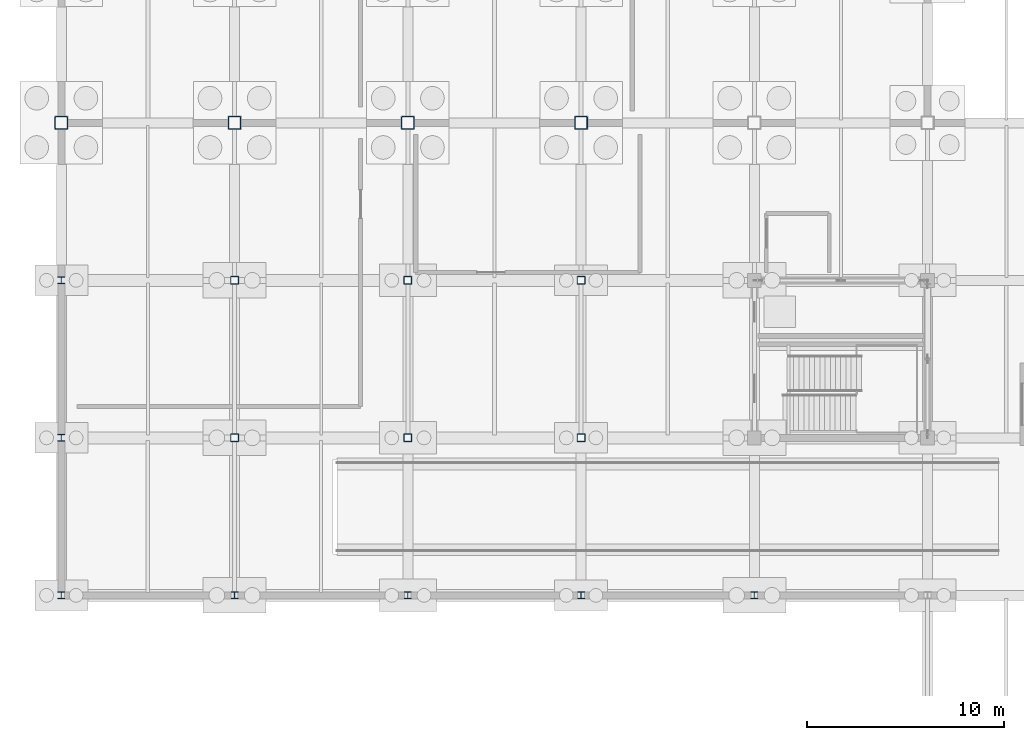
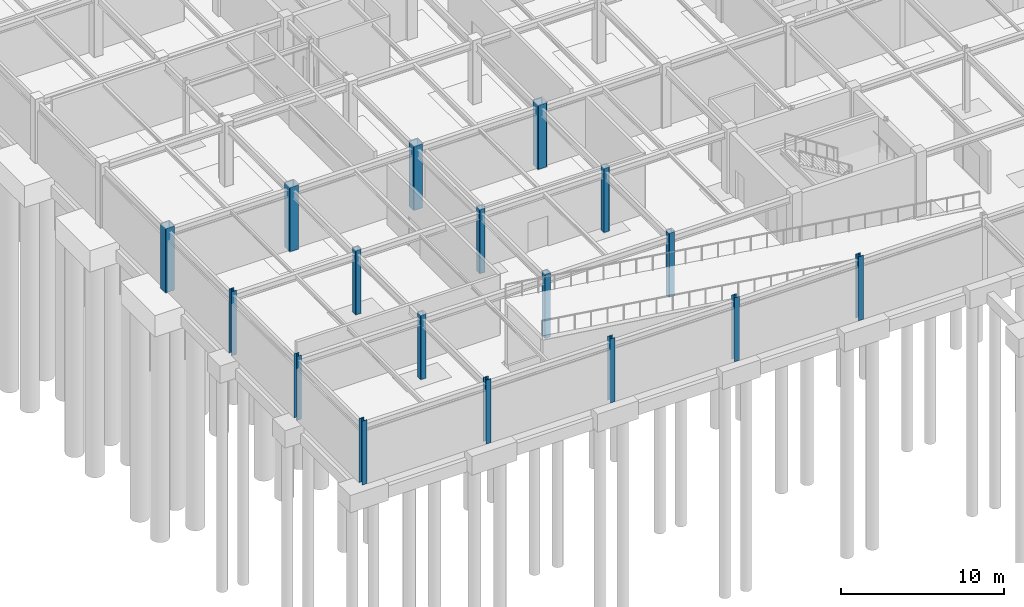
# One storey, part 12 of 72: 17 columns.
"""IFC4 building model written with IfcOpenShell, lengths in metres."""

from ifc_helpers import new_model, si_unit, direction, frame, origin, origin_2d, place, context, subcontext, project, spatial, hollow_rectangle, i_section, extrude, material, material_profile, profile_set, type_object, element, save


model = new_model("IFC4")

# Units and contexts
model_context = context("Model", 3, precision=1e-05, world=origin(), true_north=direction((0.0, 1.0)))
body_context = subcontext(model_context, "Body", "Model", "MODEL_VIEW")
ifc_project = project(units=[si_unit("LENGTHUNIT", "METRE"), si_unit("AREAUNIT", "SQUARE_METRE"), si_unit("VOLUMEUNIT", "CUBIC_METRE"), si_unit("PLANEANGLEUNIT", "RADIAN"), si_unit("MASSUNIT", "GRAM", prefix="KILO")], contexts=[model_context])

# Site, building, storey
site_placement = place(None, origin())
site = spatial("IfcSite", under=ifc_project, at=site_placement, CompositionType="ELEMENT")
building_placement = place(site_placement, origin())
building = spatial("IfcBuilding", under=site, at=building_placement, Name="Zhaolan Boulevard Law Courts", CompositionType="ELEMENT")
storey_placement = place(building_placement, frame((0.0, 0.0, -4.800048828125)))
storey = spatial("IfcBuildingStorey", under=building, at=storey_placement, Name="B1", CompositionType="ELEMENT", Elevation=-4.800048828125)

# Columns
ifc_material_1 = material(Name="Structural steel Q355B", Category="steel")
ifc_material_profile_1 = material_profile(ifc_material_1, hollow_rectangle(XDim=0.39990234375, YDim=0.39990234375, WallThickness=0.01611328125, InnerFilletRadius=0.01611328125, OuterFilletRadius=0.031982421875, at=origin_2d()), Name="BOX400x400x16")
ifc_profile_set_1 = profile_set([ifc_material_profile_1], Name="Structural steel Q355B")
column_type_1 = type_object("IfcColumnType", Name="COL BOX400", PredefinedType="COLUMN", material=ifc_profile_set_1)
for number, where, z_axis, x_axis, name in (
    (1, (8.800048828125, 14.0, 0.0), (0.0, 0.0, 1.0), (1.0, 0.0, 0.0), "Column C-2C (B1)"),
    (2, (8.800048828125, 22.0, 0.0), (0.0, 0.0, 1.0), (1.0, 0.0, 0.0), "Column C-2D (B1)"),
    (3, (17.60009765625, 14.0, 0.0), (0.0, 0.0, 1.0), (1.0, 0.0, 0.0), "Column C-3C (B1)"),
    (4, (17.60009765625, 22.0, 0.0), (0.0, 0.0, 1.0), (1.0, 0.0, 0.0), "Column C-3D (B1)"),
    (5, (26.39990234375, 14.0, 0.0), (0.0, 0.0, 1.0), (1.0, 0.0, 0.0), "Column C-4C (B1)"),
    (6, (26.39990234375, 22.0, 0.0), (0.0, 0.0, 1.0), (1.0, 0.0, 0.0), "Column C-4D (B1)"),
):
    element("IfcColumn", number, at=place(storey_placement, frame(where, z_axis=z_axis, x_axis=x_axis)), inside=storey, type_object=column_type_1, Name=name, PredefinedType="COLUMN", context=body_context, shape_type="SweptSolid", body=[
        extrude(hollow_rectangle(XDim=0.39990234375, YDim=0.39990234375, WallThickness=0.01611328125, InnerFilletRadius=0.01611328125, OuterFilletRadius=0.031982421875, at=origin_2d()), origin(), (0.0, 0.0, 1.0), 4.800048828125),
    ])
ifc_material_2 = material(Name="Structural steel Q390B", Category="steel")
ifc_material_profile_2 = material_profile(ifc_material_2, hollow_rectangle(XDim=0.64990234375, YDim=0.64990234375, WallThickness=0.02587890625, InnerFilletRadius=0.02587890625, OuterFilletRadius=0.052001953125, at=origin_2d()), Name="BOX650x650x26")
ifc_profile_set_2 = profile_set([ifc_material_profile_2], Name="Structural steel Q390B")
column_type_2 = type_object("IfcColumnType", Name="COL BOX650", PredefinedType="COLUMN", material=ifc_profile_set_2)
for number, where, z_axis, x_axis, name in (
    (7, (0.0, 30.0, 0.0), (0.0, 0.0, 1.0), (1.0, 0.0, 0.0), "Column C-1E (B1)"),
    (8, (8.800048828125, 30.0, 0.0), (0.0, 0.0, 1.0), (1.0, 0.0, 0.0), "Column C-2E (B1)"),
    (9, (17.60009765625, 30.0, 0.0), (0.0, 0.0, 1.0), (1.0, 0.0, 0.0), "Column C-3E (B1)"),
    (10, (26.39990234375, 30.0, 0.0), (0.0, 0.0, 1.0), (1.0, 0.0, 0.0), "Column C-4E (B1)"),
):
    element("IfcColumn", number, at=place(storey_placement, frame(where, z_axis=z_axis, x_axis=x_axis)), inside=storey, type_object=column_type_2, Name=name, PredefinedType="COLUMN", context=body_context, shape_type="SweptSolid", body=[
        extrude(hollow_rectangle(XDim=0.64990234375, YDim=0.64990234375, WallThickness=0.02587890625, InnerFilletRadius=0.02587890625, OuterFilletRadius=0.052001953125, at=origin_2d()), origin(), (0.0, 0.0, 1.0), 4.800048828125),
    ])
ifc_material_3 = material(Name="Structural steel Q355B", Category="steel")
ifc_material_profile_3 = material_profile(ifc_material_3, i_section(OverallWidth=0.35009765625, OverallDepth=0.35009765625, WebThickness=0.011962890625, FlangeThickness=0.01904296875, FilletRadius=0.02001953125, at=origin_2d()), Name="HW350x350")
ifc_profile_set_3 = profile_set([ifc_material_profile_3], Name="Structural steel Q355B")
column_type_3 = type_object("IfcColumnType", Name="COL HW350", PredefinedType="COLUMN", material=ifc_profile_set_3)
for number, where, z_axis, x_axis, name in (
    (11, (0.0, 6.0, 0.0), (0.0, 0.0, 1.0), (1.0, 0.0, 0.0), "Column C-1B (B1)"),
    (12, (0.0, 14.0, 0.0), (0.0, 0.0, 1.0), (1.0, 0.0, 0.0), "Column C-1C (B1)"),
    (13, (0.0, 22.0, 0.0), (0.0, 0.0, 1.0), (1.0, 0.0, 0.0), "Column C-1D (B1)"),
    (14, (8.800048828125, 6.0, 0.0), (0.0, 0.0, 1.0), (1.0, 0.0, 0.0), "Column C-2B (B1)"),
    (15, (17.60009765625, 6.0, 0.0), (0.0, 0.0, 1.0), (1.0, 0.0, 0.0), "Column C-3B (B1)"),
    (16, (26.39990234375, 6.0, 0.0), (0.0, 0.0, 1.0), (1.0, 0.0, 0.0), "Column C-4B (B1)"),
    (17, (35.199951171875, 6.0, 0.0), (0.0, 0.0, 1.0), (1.0, 0.0, 0.0), "Column C-5B (B1)"),
):
    element("IfcColumn", number, at=place(storey_placement, frame(where, z_axis=z_axis, x_axis=x_axis)), inside=storey, type_object=column_type_3, Name=name, PredefinedType="COLUMN", context=body_context, shape_type="SweptSolid", body=[
        extrude(i_section(OverallWidth=0.35009765625, OverallDepth=0.35009765625, WebThickness=0.011962890625, FlangeThickness=0.01904296875, FilletRadius=0.02001953125, at=origin_2d()), origin(), (0.0, 0.0, 1.0), 4.800048828125),
    ])

save(model, "model.ifc")
